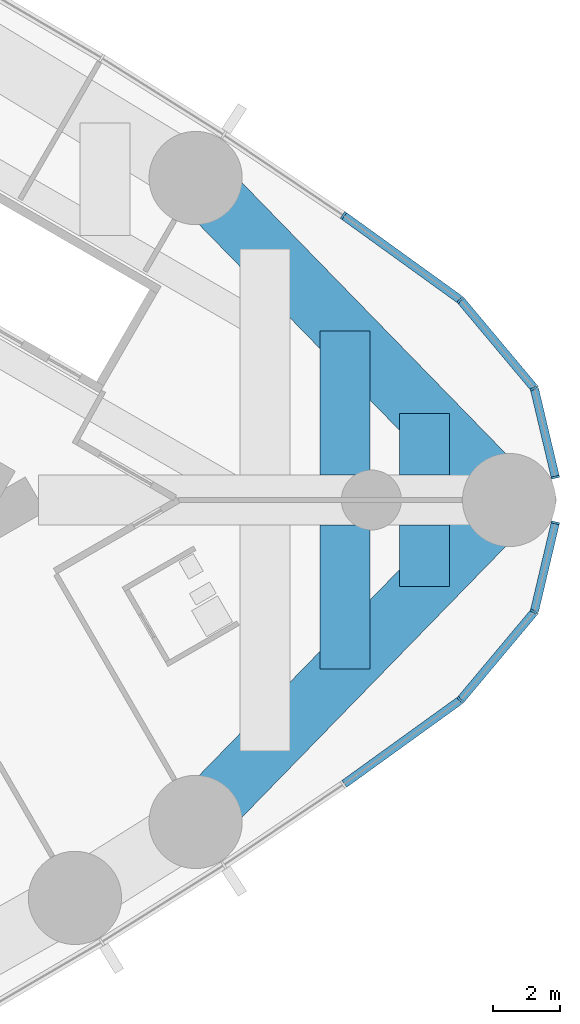
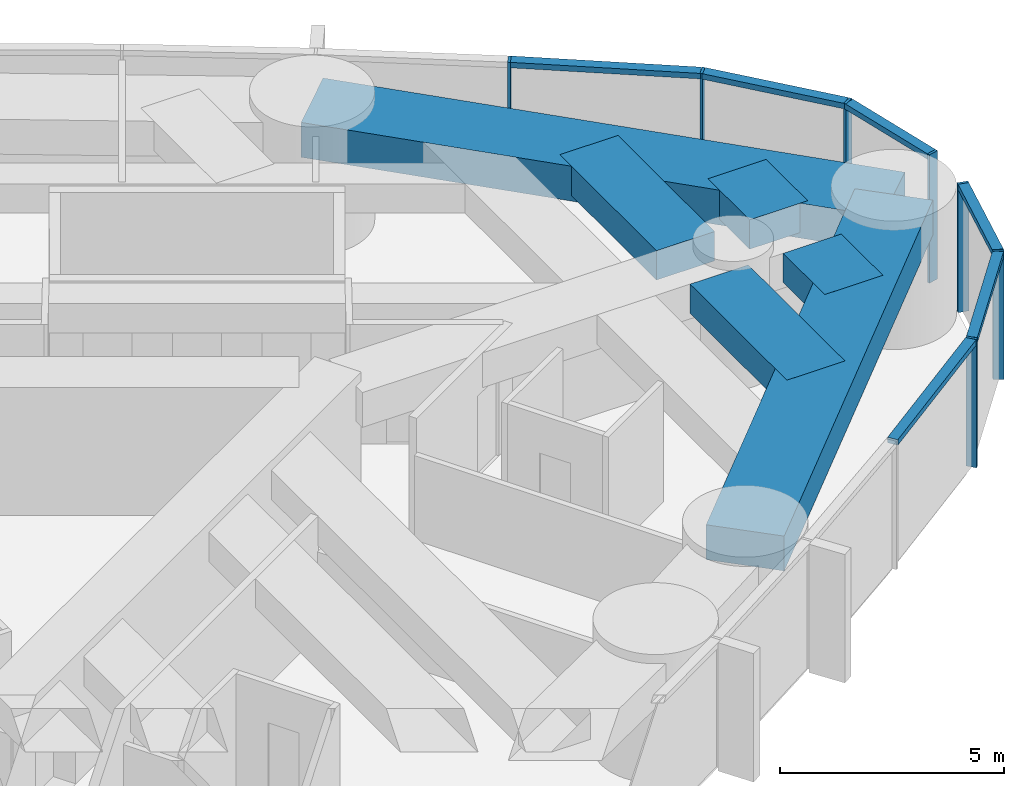
# One storey, part 9 of 18: 13 members, 6 beams, 2 elements without a shape of their own.
"""IFC4 building model written with IfcOpenShell, lengths in metres."""

from ifc_helpers import new_model, si_unit, direction, frame, origin, origin_2d, place, context, subcontext, project, spatial, rectangle, extrude, material, material_profile, profile_set, type_object, element, aggregate, save


model = new_model("IFC4")

# Units and contexts
model_context = context("Model", 3, precision=1e-05, world=origin(), true_north=direction((0.0, 1.0)))
body_context = subcontext(model_context, "Body", "Model", "MODEL_VIEW")
ifc_project = project(units=[si_unit("LENGTHUNIT", "METRE"), si_unit("AREAUNIT", "SQUARE_METRE"), si_unit("VOLUMEUNIT", "CUBIC_METRE"), si_unit("PLANEANGLEUNIT", "RADIAN"), si_unit("MASSUNIT", "GRAM", prefix="KILO")], contexts=[model_context])

# Site, building, storey
site_placement = place(None, origin())
site = spatial("IfcSite", under=ifc_project, at=site_placement, CompositionType="ELEMENT")
building_placement = place(site_placement, origin())
building = spatial("IfcBuilding", under=site, at=building_placement, Name="Lancet Gate Hotel", CompositionType="ELEMENT")
storey_placement = place(building_placement, frame((0.0, 0.0, 180.800048828125)))
storey = spatial("IfcBuildingStorey", under=building, at=storey_placement, Name="L48", CompositionType="ELEMENT", Elevation=180.800048828125)

# Curtain wall, members
ifc_material_1 = material(Name="Aluminium curtain wall", Category="aluminium")
curtain_wall_type = type_object("IfcCurtainWallType", Name="Tower unitised curtain wall", PredefinedType="USERDEFINED", material=ifc_material_1)
curtain_wall_1_placement = place(storey_placement, origin())
curtain_wall_1 = element("IfcCurtainWall", 1, at=curtain_wall_1_placement, inside=storey, type_object=curtain_wall_type, Name="T2 L48 curtain wall 2", ObjectType="UNITISED CURTAIN WALL", PredefinedType="USERDEFINED")
ifc_material_2 = material(Name="Aluminium mullion", Category="aluminium")
ifc_material_profile_1 = material_profile(ifc_material_2, rectangle(XDim=0.06494140625, YDim=0.25, at=origin_2d()), Name="MULLION 65x250")
ifc_profile_set_1 = profile_set([ifc_material_profile_1], Name="Aluminium mullion")
member_type_1 = type_object("IfcMemberType", Name="Aluminium mullion 65x250", PredefinedType="MULLION", material=ifc_profile_set_1)
member_1_placement = place(storey_placement, frame((64.174560546875, -6.01123046875, 0.0), z_axis=(0.0, 0.0, 1.0), x_axis=(0.741693452951, 0.670739011725, 0.0)))
member_1 = element("IfcMember", 2, at=member_1_placement, type_object=member_type_1, Name="T2 L48 curtain wall 2 mullion 10", PredefinedType="MULLION", context=body_context, shape_type="SweptSolid", body=[
    extrude(rectangle(XDim=0.06494140625, YDim=0.25, at=origin_2d()), origin(), (0.0, 0.0, 1.0), 3.5),
])
member_2_placement = place(storey_placement, frame((66.3935546875, -3.362548828125, 0.0), z_axis=(0.0, 0.0, 1.0), x_axis=(0.472146326362, 0.881520190638, 0.0)))
member_2 = element("IfcMember", 3, at=member_2_placement, type_object=member_type_1, Name="T2 L48 curtain wall 2 mullion 11", PredefinedType="MULLION", context=body_context, shape_type="SweptSolid", body=[
    extrude(rectangle(XDim=0.06494140625, YDim=0.25, at=origin_2d()), origin(), (0.0, 0.0, 1.0), 3.5),
])
member_3_placement = place(storey_placement, frame((67.027587890625, -0.684326171875, 0.0), z_axis=(0.0, 0.0, 1.0), x_axis=(0.230366568544, 0.973103922558, 0.0)))
member_3 = element("IfcMember", 4, at=member_3_placement, type_object=member_type_1, Name="T2 L48 curtain wall 2 mullion 12", PredefinedType="MULLION", context=body_context, shape_type="SweptSolid", body=[
    extrude(rectangle(XDim=0.06494140625, YDim=0.25, at=origin_2d()), origin(), (0.0, 0.0, 1.0), 3.5),
])

curtain_wall_2_placement = place(storey_placement, origin())
curtain_wall_2 = element("IfcCurtainWall", 5, at=curtain_wall_2_placement, inside=storey, type_object=curtain_wall_type, Name="T2 L48 curtain wall 3", ObjectType="UNITISED CURTAIN WALL", PredefinedType="USERDEFINED")
member_4_placement = place(storey_placement, frame((67.027587890625, 0.684326171875, 0.0), z_axis=(0.0, 0.0, 1.0), x_axis=(-0.230366568544, 0.973103922558, 0.0)))
member_4 = element("IfcMember", 6, at=member_4_placement, type_object=member_type_1, Name="T2 L48 curtain wall 3 mullion 1", PredefinedType="MULLION", context=body_context, shape_type="SweptSolid", body=[
    extrude(rectangle(XDim=0.06494140625, YDim=0.25, at=origin_2d()), origin(), (0.0, 0.0, 1.0), 3.5),
])
member_5_placement = place(storey_placement, frame((66.3935546875, 3.362548828125, 0.0), z_axis=(0.0, 0.0, 1.0), x_axis=(-0.472146326362, 0.881520190638, 0.0)))
member_5 = element("IfcMember", 7, at=member_5_placement, type_object=member_type_1, Name="T2 L48 curtain wall 3 mullion 2", PredefinedType="MULLION", context=body_context, shape_type="SweptSolid", body=[
    extrude(rectangle(XDim=0.06494140625, YDim=0.25, at=origin_2d()), origin(), (0.0, 0.0, 1.0), 3.5),
])
member_6_placement = place(storey_placement, frame((64.174560546875, 6.01123046875, 0.0), z_axis=(0.0, 0.0, 1.0), x_axis=(-0.741693452951, 0.670739011725, 0.0)))
member_6 = element("IfcMember", 8, at=member_6_placement, type_object=member_type_1, Name="T2 L48 curtain wall 3 mullion 3", PredefinedType="MULLION", context=body_context, shape_type="SweptSolid", body=[
    extrude(rectangle(XDim=0.06494140625, YDim=0.25, at=origin_2d()), origin(), (0.0, 0.0, 1.0), 3.5),
])
member_7_placement = place(storey_placement, frame((60.66015625, 8.547607421875, 0.0), z_axis=(0.0, 0.0, 1.0), x_axis=(-0.820068208435, 0.572265789222, 0.0)))
member_7 = element("IfcMember", 9, at=member_7_placement, type_object=member_type_1, Name="T2 L48 curtain wall 3 mullion 4", PredefinedType="MULLION", context=body_context, shape_type="SweptSolid", body=[
    extrude(rectangle(XDim=0.06494140625, YDim=0.25, at=origin_2d()), origin(), (0.0, 0.0, 1.0), 3.5),
])

# Member
ifc_material_3 = material(Name="Aluminium transom", Category="aluminium")
ifc_material_profile_2 = material_profile(ifc_material_3, rectangle(XDim=0.25, YDim=0.14990234375, at=origin_2d()), Name="TRANSOM 250x150")
ifc_profile_set_2 = profile_set([ifc_material_profile_2], Name="Aluminium transom")
member_type_2 = type_object("IfcMemberType", Name="Aluminium transom 250x150", PredefinedType="USERDEFINED", material=ifc_profile_set_2)
member_8_placement = place(storey_placement, frame((60.6865234375, -8.528564453125, 3.425048828125), z_axis=(0.810879747578, 0.585212811691, 0.0), x_axis=(-0.585212811691, 0.810879747578, 0.0)))
member_8 = element("IfcMember", 10, at=member_8_placement, type_object=member_type_2, Name="T2 L48 curtain wall 2 transom 9", ObjectType="TRANSOM", PredefinedType="USERDEFINED", context=body_context, shape_type="SweptSolid", body=[
    extrude(rectangle(XDim=0.25, YDim=0.14990234375, at=origin_2d()), origin(), (0.0, 0.0, 1.0), 4.26904296875),
])

member_9_placement = place(storey_placement, frame((64.1953125, -5.986328125, 3.425048828125), z_axis=(0.642229010215, 0.766512816878, 0.0), x_axis=(-0.766512816878, 0.642229010215, 0.0)))
member_9 = element("IfcMember", 11, at=member_9_placement, type_object=member_type_2, Name="T2 L48 curtain wall 2 transom 10", ObjectType="TRANSOM", PredefinedType="USERDEFINED", context=body_context, shape_type="SweptSolid", body=[
    extrude(rectangle(XDim=0.25, YDim=0.14990234375, at=origin_2d()), origin(), (0.0, 0.0, 1.0), 3.390625),
])

member_10_placement = place(storey_placement, frame((66.401123046875, -3.3310546875, 3.425048828125), z_axis=(0.230310174804, 0.973117271135, 0.0), x_axis=(-0.973117271135, 0.230310174804, 0.0)))
member_10 = element("IfcMember", 12, at=member_10_placement, type_object=member_type_2, Name="T2 L48 curtain wall 2 transom 11", ObjectType="TRANSOM", PredefinedType="USERDEFINED", context=body_context, shape_type="SweptSolid", body=[
    extrude(rectangle(XDim=0.25, YDim=0.14990234375, at=origin_2d()), origin(), (0.0, 0.0, 1.0), 2.687255859375),
])

aggregate(curtain_wall_1, [member_1, member_2, member_3, member_8, member_9, member_10])

member_11_placement = place(storey_placement, frame((67.02001953125, 0.716064453125, 3.425048828125), z_axis=(-0.230310174804, 0.973117271135, 0.0), x_axis=(-0.973117271135, -0.230310174804, 0.0)))
member_11 = element("IfcMember", 13, at=member_11_placement, type_object=member_type_2, Name="T2 L48 curtain wall 3 transom 1", ObjectType="TRANSOM", PredefinedType="USERDEFINED", context=body_context, shape_type="SweptSolid", body=[
    extrude(rectangle(XDim=0.25, YDim=0.14990234375, at=origin_2d()), origin(), (0.0, 0.0, 1.0), 2.687255859375),
])

member_12_placement = place(storey_placement, frame((66.372802734375, 3.387451171875, 3.425048828125), z_axis=(-0.642229010215, 0.766512816878, 0.0), x_axis=(-0.766512816878, -0.642229010215, 0.0)))
member_12 = element("IfcMember", 14, at=member_12_placement, type_object=member_type_2, Name="T2 L48 curtain wall 3 transom 2", ObjectType="TRANSOM", PredefinedType="USERDEFINED", context=body_context, shape_type="SweptSolid", body=[
    extrude(rectangle(XDim=0.25, YDim=0.14990234375, at=origin_2d()), origin(), (0.0, 0.0, 1.0), 3.390625),
])

member_13_placement = place(storey_placement, frame((64.148193359375, 6.0302734375, 3.425048828125), z_axis=(-0.810879747578, 0.585212811691, 0.0), x_axis=(-0.585212811691, -0.810879747578, 0.0)))
member_13 = element("IfcMember", 15, at=member_13_placement, type_object=member_type_2, Name="T2 L48 curtain wall 3 transom 3", ObjectType="TRANSOM", PredefinedType="USERDEFINED", context=body_context, shape_type="SweptSolid", body=[
    extrude(rectangle(XDim=0.25, YDim=0.14990234375, at=origin_2d()), origin(), (0.0, 0.0, 1.0), 4.26904296875),
])

aggregate(curtain_wall_2, [member_4, member_5, member_6, member_7, member_11, member_12, member_13])

# Beams
ifc_material_4 = material(Name="Concrete C50/60", Category="concrete")
ifc_material_profile_3 = material_profile(ifc_material_4, rectangle(XDim=1.800048828125, YDim=0.949951171875, at=origin_2d()), Name="RC 1800x950")
ifc_profile_set_3 = profile_set([ifc_material_profile_3], Name="Concrete C50/60")
beam_type_1 = type_object("IfcBeamType", Name="Edge beam RC 1800x950", PredefinedType="SPANDREL", material=ifc_profile_set_3)
for number, where, z_axis, x_axis, name in (
    (16, (56.220947265625, -9.67236328125, 2.77490234375), (0.697649905443, 0.716438838587, 0.0), (-0.716438838587, 0.697649905443, 0.0), "T2 edge beam EB1 L48"),
    (17, (65.6396484375, 0.0, 2.77490234375), (-0.697649905443, 0.716438838587, 0.0), (-0.716438838587, -0.697649905443, 0.0), "T2 edge beam EB1 L48"),
):
    element("IfcBeam", number, at=place(storey_placement, frame(where, z_axis=z_axis, x_axis=x_axis)), inside=storey, type_object=beam_type_1, Name=name, PredefinedType="SPANDREL", context=body_context, shape_type="SweptSolid", body=[
        extrude(rectangle(XDim=1.800048828125, YDim=0.949951171875, at=origin_2d()), origin(), (0.0, 0.0, 1.0), 13.500732421875),
    ])
ifc_material_5 = material(Name="Concrete C50/60", Category="concrete")
ifc_material_profile_4 = material_profile(ifc_material_5, rectangle(XDim=1.5, YDim=0.800048828125, at=origin_2d()), Name="RC 1500x800")
ifc_profile_set_4 = profile_set([ifc_material_profile_4], Name="Concrete C50/60")
beam_type_2 = type_object("IfcBeamType", Name="Floor beam RC 1500x800", PredefinedType="BEAM", material=ifc_profile_set_4)
for number, where, z_axis, x_axis, name in (
    (18, (60.7021484375, -5.0703125, 2.849853515625), (0.0, 1.0, 0.0), (-1.0, 0.0, 0.0), "T2 floor beam F14S L48"),
    (19, (60.7021484375, 0.75, 2.849853515625), (0.0, 1.0, 0.0), (-1.0, 0.0, 0.0), "T2 floor beam F15N L48"),
):
    element("IfcBeam", number, at=place(storey_placement, frame(where, z_axis=z_axis, x_axis=x_axis)), inside=storey, type_object=beam_type_2, Name=name, PredefinedType="BEAM", context=body_context, shape_type="SweptSolid", body=[
        extrude(rectangle(XDim=1.5, YDim=0.800048828125, at=origin_2d()), origin(), (0.0, 0.0, 1.0), 4.3203125),
    ])
for number, where, z_axis, x_axis, name in (
    (20, (63.102294921875, -2.605712890625, 2.849853515625), (0.0, 1.0, 0.0), (-1.0, 0.0, 0.0), "T2 floor beam F16S L48"),
    (21, (63.102294921875, 0.75, 2.849853515625), (0.0, 1.0, 0.0), (-1.0, 0.0, 0.0), "T2 floor beam F17N L48"),
):
    element("IfcBeam", number, at=place(storey_placement, frame(where, z_axis=z_axis, x_axis=x_axis)), inside=storey, type_object=beam_type_2, Name=name, PredefinedType="BEAM", context=body_context, shape_type="SweptSolid", body=[
        extrude(rectangle(XDim=1.5, YDim=0.800048828125, at=origin_2d()), origin(), (0.0, 0.0, 1.0), 1.855712890625),
    ])

save(model, "model.ifc")
